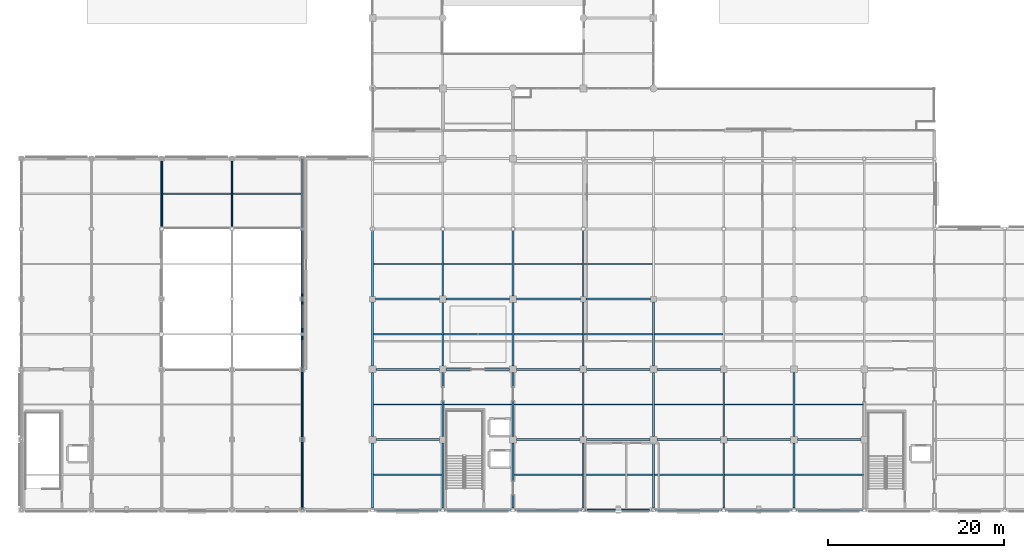
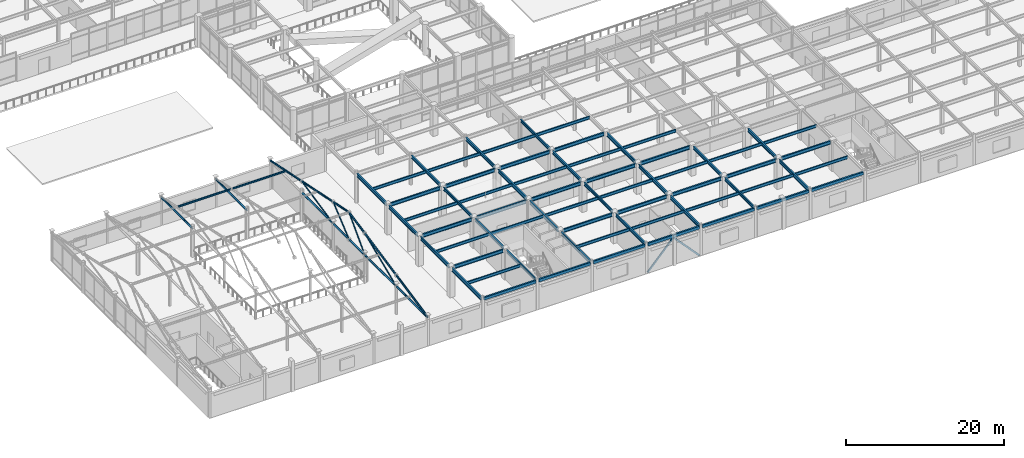
# One storey, part 31 of 117: 67 beams, 19 members.
"""IFC4 building model written with IfcOpenShell, lengths in metres."""

from ifc_helpers import new_model, si_unit, direction, frame, origin, origin_2d, place, context, subcontext, project, spatial, hollow_rectangle, hollow_circle, i_section, extrude, material, material_profile, profile_set, type_object, element, save


model = new_model("IFC4")

# Units and contexts
model_context = context("Model", 3, precision=1e-05, world=origin(), true_north=direction((0.0, 1.0)))
body_context = subcontext(model_context, "Body", "Model", "MODEL_VIEW")
ifc_project = project(units=[si_unit("LENGTHUNIT", "METRE"), si_unit("AREAUNIT", "SQUARE_METRE"), si_unit("VOLUMEUNIT", "CUBIC_METRE"), si_unit("PLANEANGLEUNIT", "RADIAN"), si_unit("MASSUNIT", "GRAM", prefix="KILO")], contexts=[model_context])

# Site, building, storey
site_placement = place(None, origin())
site = spatial("IfcSite", under=ifc_project, at=site_placement, CompositionType="ELEMENT")
building_placement = place(site_placement, origin())
building = spatial("IfcBuilding", under=site, at=building_placement, Name="Solmirada Galleria", CompositionType="ELEMENT")
storey_placement = place(building_placement, frame((0.0, 0.0, 5.60009765625)))
storey = spatial("IfcBuildingStorey", under=building, at=storey_placement, Name="L01", CompositionType="ELEMENT", Elevation=5.60009765625)

# Beams
ifc_material_1 = material(Name="Steel S355 / ASTM A992 Grade 50", Category="steel")
ifc_material_profile_1 = material_profile(ifc_material_1, i_section(OverallWidth=0.194091796875, OverallDepth=0.468994140625, WebThickness=0.0126953125, FlangeThickness=0.0205078125, FilletRadius=0.013916015625, at=origin_2d()), Name="W18X71")
ifc_profile_set_1 = profile_set([ifc_material_profile_1], Name="Steel S355 / ASTM A992 Grade 50")
beam_type_1 = type_object("IfcBeamType", Name="BM-GIRD-W18B", PredefinedType="BEAM", material=ifc_profile_set_1)
beam_1_placement = place(storey_placement, frame((88.0, 0.202880859375, 4.365478515625), z_axis=(0.0, 1.0, 0.0), x_axis=(-1.0, 0.0, 0.0)))
element("IfcBeam", 1, at=beam_1_placement, inside=storey, type_object=beam_type_1, Name="Primary girder L02 Y(88, 0..8)", PredefinedType="BEAM", context=body_context, shape_type="SweptSolid", body=[
    extrude(i_section(OverallWidth=0.194091796875, OverallDepth=0.468994140625, WebThickness=0.0126953125, FlangeThickness=0.0205078125, FilletRadius=0.013916015625, at=origin_2d()), origin(), (0.0, 0.0, 1.0), 7.422119140625),
])
for number, where, z_axis, x_axis, name in (
    (2, (88.0, 8.375, 4.365478515625), (0.0, 1.0, 0.0), (-1.0, 0.0, 0.0), "Primary girder L02 Y(88, 8..16)"),
    (3, (88.0, 16.375, 4.365478515625), (0.0, 1.0, 0.0), (-1.0, 0.0, 0.0), "Primary girder L02 Y(88, 16..24)"),
):
    element("IfcBeam", number, at=place(storey_placement, frame(where, z_axis=z_axis, x_axis=x_axis)), inside=storey, type_object=beam_type_1, Name=name, PredefinedType="BEAM", context=body_context, shape_type="SweptSolid", body=[
        extrude(i_section(OverallWidth=0.194091796875, OverallDepth=0.468994140625, WebThickness=0.0126953125, FlangeThickness=0.0205078125, FilletRadius=0.013916015625, at=origin_2d()), origin(), (0.0, 0.0, 1.0), 7.25),
    ])
beam_2_placement = place(storey_placement, frame((88.0, 24.375, 4.365478515625), z_axis=(0.0, 1.0, 0.0), x_axis=(-1.0, 0.0, 0.0)))
element("IfcBeam", 4, at=beam_2_placement, inside=storey, type_object=beam_type_1, Name="Primary girder L02 Y(88, 24..32)", PredefinedType="BEAM", context=body_context, shape_type="SweptSolid", body=[
    extrude(i_section(OverallWidth=0.194091796875, OverallDepth=0.468994140625, WebThickness=0.0126953125, FlangeThickness=0.0205078125, FilletRadius=0.013916015625, at=origin_2d()), origin(), (0.0, 0.0, 1.0), 7.43310546875),
])
beam_3_placement = place(storey_placement, frame((104.0, 0.202880859375, 4.365478515625), z_axis=(0.0, 1.0, 0.0), x_axis=(-1.0, 0.0, 0.0)))
element("IfcBeam", 5, at=beam_3_placement, inside=storey, type_object=beam_type_1, Name="Primary girder L02 Y(104, 0..8)", PredefinedType="BEAM", context=body_context, shape_type="SweptSolid", body=[
    extrude(i_section(OverallWidth=0.194091796875, OverallDepth=0.468994140625, WebThickness=0.0126953125, FlangeThickness=0.0205078125, FilletRadius=0.013916015625, at=origin_2d()), origin(), (0.0, 0.0, 1.0), 7.422119140625),
])
beam_4_placement = place(storey_placement, frame((104.0, 8.375, 4.365478515625), z_axis=(0.0, 1.0, 0.0), x_axis=(-1.0, 0.0, 0.0)))
element("IfcBeam", 6, at=beam_4_placement, inside=storey, type_object=beam_type_1, Name="Primary girder L02 Y(104, 8..16)", PredefinedType="BEAM", context=body_context, shape_type="SweptSolid", body=[
    extrude(i_section(OverallWidth=0.194091796875, OverallDepth=0.468994140625, WebThickness=0.0126953125, FlangeThickness=0.0205078125, FilletRadius=0.013916015625, at=origin_2d()), origin(), (0.0, 0.0, 1.0), 7.25),
])
beam_5_placement = place(storey_placement, frame((104.0, 16.375, 4.365478515625), z_axis=(0.0, 1.0, 0.0), x_axis=(-1.0, 0.0, 0.0)))
element("IfcBeam", 7, at=beam_5_placement, inside=storey, type_object=beam_type_1, Name="Primary girder L02 Y(104, 16..24)", PredefinedType="BEAM", context=body_context, shape_type="SweptSolid", body=[
    extrude(i_section(OverallWidth=0.194091796875, OverallDepth=0.468994140625, WebThickness=0.0126953125, FlangeThickness=0.0205078125, FilletRadius=0.013916015625, at=origin_2d()), origin(), (0.0, 0.0, 1.0), 7.300048828125),
])
beam_6_placement = place(storey_placement, frame((104.0, 24.324951171875, 4.365478515625), z_axis=(0.0, 1.0, 0.0), x_axis=(-1.0, 0.0, 0.0)))
element("IfcBeam", 8, at=beam_6_placement, inside=storey, type_object=beam_type_1, Name="Primary girder L02 Y(104, 24..32)", PredefinedType="BEAM", context=body_context, shape_type="SweptSolid", body=[
    extrude(i_section(OverallWidth=0.194091796875, OverallDepth=0.468994140625, WebThickness=0.0126953125, FlangeThickness=0.0205078125, FilletRadius=0.013916015625, at=origin_2d()), origin(), (0.0, 0.0, 1.0), 7.483154296875),
])
beam_7_placement = place(storey_placement, frame((120.0, 0.202880859375, 4.365478515625), z_axis=(0.0, 1.0, 0.0), x_axis=(-1.0, 0.0, 0.0)))
element("IfcBeam", 9, at=beam_7_placement, inside=storey, type_object=beam_type_1, Name="Primary girder L02 Y(120, 0..8)", PredefinedType="BEAM", context=body_context, shape_type="SweptSolid", body=[
    extrude(i_section(OverallWidth=0.194091796875, OverallDepth=0.468994140625, WebThickness=0.0126953125, FlangeThickness=0.0205078125, FilletRadius=0.013916015625, at=origin_2d()), origin(), (0.0, 0.0, 1.0), 7.422119140625),
])
beam_8_placement = place(storey_placement, frame((120.0, 8.375, 4.365478515625), z_axis=(0.0, 1.0, 0.0), x_axis=(-1.0, 0.0, 0.0)))
element("IfcBeam", 10, at=beam_8_placement, inside=storey, type_object=beam_type_1, Name="Primary girder L02 Y(120, 8..16)", PredefinedType="BEAM", context=body_context, shape_type="SweptSolid", body=[
    extrude(i_section(OverallWidth=0.194091796875, OverallDepth=0.468994140625, WebThickness=0.0126953125, FlangeThickness=0.0205078125, FilletRadius=0.013916015625, at=origin_2d()), origin(), (0.0, 0.0, 1.0), 7.25),
])
ifc_material_profile_2 = material_profile(ifc_material_1, i_section(OverallWidth=0.214111328125, OverallDepth=0.549072265625, WebThickness=0.0146484375, FlangeThickness=0.023681640625, FilletRadius=0.014892578125, at=origin_2d()), Name="W21X93")
ifc_profile_set_2 = profile_set([ifc_material_profile_2], Name="Steel S355 / ASTM A992 Grade 50")
beam_type_2 = type_object("IfcBeamType", Name="BM-GIRD-W21A", PredefinedType="BEAM", material=ifc_profile_set_2)
for number, where, z_axis, x_axis, name in (
    (11, (80.375, 16.0, 4.325439453125), (1.0, 0.0, 0.0), (0.0, 1.0, 0.0), "Primary beam L02 X(80..88, 16)"),
    (12, (88.375, 16.0, 4.325439453125), (1.0, 0.0, 0.0), (0.0, 1.0, 0.0), "Primary beam L02 X(88..96, 16)"),
    (13, (96.375, 16.0, 4.325439453125), (1.0, 0.0, 0.0), (0.0, 1.0, 0.0), "Primary beam L02 X(96..104, 16)"),
    (14, (104.375, 16.0, 4.325439453125), (1.0, 0.0, 0.0), (0.0, 1.0, 0.0), "Primary beam L02 X(104..112, 16)"),
    (15, (112.375, 16.0, 4.325439453125), (1.0, 0.0, 0.0), (0.0, 1.0, 0.0), "Primary beam L02 X(112..120, 16)"),
):
    element("IfcBeam", number, at=place(storey_placement, frame(where, z_axis=z_axis, x_axis=x_axis)), inside=storey, type_object=beam_type_2, Name=name, PredefinedType="BEAM", context=body_context, shape_type="SweptSolid", body=[
        extrude(i_section(OverallWidth=0.214111328125, OverallDepth=0.549072265625, WebThickness=0.0146484375, FlangeThickness=0.023681640625, FilletRadius=0.014892578125, at=origin_2d()), origin(), (0.0, 0.0, 1.0), 7.25),
    ])
ifc_material_profile_3 = material_profile(ifc_material_1, i_section(OverallWidth=0.2099609375, OverallDepth=0.537109375, WebThickness=0.010986328125, FlangeThickness=0.017333984375, FilletRadius=0.014892578125, at=origin_2d()), Name="W21X68")
ifc_profile_set_3 = profile_set([ifc_material_profile_3], Name="Steel S355 / ASTM A992 Grade 50")
beam_type_3 = type_object("IfcBeamType", Name="BM-GIRD-W21B", PredefinedType="BEAM", material=ifc_profile_set_3)
beam_9_placement = place(storey_placement, frame((80.375, 8.0, 4.331298828125), z_axis=(1.0, 0.0, 0.0), x_axis=(0.0, 1.0, 0.0)))
element("IfcBeam", 16, at=beam_9_placement, inside=storey, type_object=beam_type_3, Name="Primary beam L02 X(80..88, 8)", PredefinedType="BEAM", context=body_context, shape_type="SweptSolid", body=[
    extrude(i_section(OverallWidth=0.2099609375, OverallDepth=0.537109375, WebThickness=0.010986328125, FlangeThickness=0.017333984375, FilletRadius=0.014892578125, at=origin_2d()), origin(), (0.0, 0.0, 1.0), 7.25),
])
beam_10_placement = place(storey_placement, frame((80.324951171875, 24.0, 4.331298828125), z_axis=(1.0, 0.0, 0.0), x_axis=(0.0, 1.0, 0.0)))
element("IfcBeam", 17, at=beam_10_placement, inside=storey, type_object=beam_type_3, Name="Primary beam L02 X(80..88, 24)", PredefinedType="BEAM", context=body_context, shape_type="SweptSolid", body=[
    extrude(i_section(OverallWidth=0.2099609375, OverallDepth=0.537109375, WebThickness=0.010986328125, FlangeThickness=0.017333984375, FilletRadius=0.014892578125, at=origin_2d()), origin(), (0.0, 0.0, 1.0), 7.300048828125),
])
for number, where, z_axis, x_axis, name in (
    (18, (88.375, 24.0, 4.331298828125), (1.0, 0.0, 0.0), (0.0, 1.0, 0.0), "Primary beam L02 X(88..96, 24)"),
    (19, (96.375, 8.0, 4.331298828125), (1.0, 0.0, 0.0), (0.0, 1.0, 0.0), "Primary beam L02 X(96..104, 8)"),
):
    element("IfcBeam", number, at=place(storey_placement, frame(where, z_axis=z_axis, x_axis=x_axis)), inside=storey, type_object=beam_type_3, Name=name, PredefinedType="BEAM", context=body_context, shape_type="SweptSolid", body=[
        extrude(i_section(OverallWidth=0.2099609375, OverallDepth=0.537109375, WebThickness=0.010986328125, FlangeThickness=0.017333984375, FilletRadius=0.014892578125, at=origin_2d()), origin(), (0.0, 0.0, 1.0), 7.25),
    ])
beam_11_placement = place(storey_placement, frame((96.375, 24.0, 4.331298828125), z_axis=(1.0, 0.0, 0.0), x_axis=(0.0, 1.0, 0.0)))
element("IfcBeam", 20, at=beam_11_placement, inside=storey, type_object=beam_type_3, Name="Primary beam L02 X(96..104, 24)", PredefinedType="BEAM", context=body_context, shape_type="SweptSolid", body=[
    extrude(i_section(OverallWidth=0.2099609375, OverallDepth=0.537109375, WebThickness=0.010986328125, FlangeThickness=0.017333984375, FilletRadius=0.014892578125, at=origin_2d()), origin(), (0.0, 0.0, 1.0), 7.300048828125),
])
beam_12_placement = place(storey_placement, frame((104.375, 8.0, 4.331298828125), z_axis=(1.0, 0.0, 0.0), x_axis=(0.0, 1.0, 0.0)))
element("IfcBeam", 21, at=beam_12_placement, inside=storey, type_object=beam_type_3, Name="Primary beam L02 X(104..112, 8)", PredefinedType="BEAM", context=body_context, shape_type="SweptSolid", body=[
    extrude(i_section(OverallWidth=0.2099609375, OverallDepth=0.537109375, WebThickness=0.010986328125, FlangeThickness=0.017333984375, FilletRadius=0.014892578125, at=origin_2d()), origin(), (0.0, 0.0, 1.0), 7.25),
])
beam_13_placement = place(storey_placement, frame((104.324951171875, 24.0, 4.331298828125), z_axis=(1.0, 0.0, 0.0), x_axis=(0.0, 1.0, 0.0)))
element("IfcBeam", 22, at=beam_13_placement, inside=storey, type_object=beam_type_3, Name="Primary beam L02 X(104..112, 24)", PredefinedType="BEAM", context=body_context, shape_type="SweptSolid", body=[
    extrude(i_section(OverallWidth=0.2099609375, OverallDepth=0.537109375, WebThickness=0.010986328125, FlangeThickness=0.017333984375, FilletRadius=0.014892578125, at=origin_2d()), origin(), (0.0, 0.0, 1.0), 7.35009765625),
])
for number, where, z_axis, x_axis, name in (
    (23, (112.375, 8.0, 4.331298828125), (1.0, 0.0, 0.0), (0.0, 1.0, 0.0), "Primary beam L02 X(112..120, 8)"),
    (24, (120.375, 8.0, 4.331298828125), (1.0, 0.0, 0.0), (0.0, 1.0, 0.0), "Primary beam L02 X(120..128, 8)"),
    (25, (128.375, 8.0, 4.331298828125), (1.0, 0.0, 0.0), (0.0, 1.0, 0.0), "Primary beam L02 X(128..136, 8)"),
):
    element("IfcBeam", number, at=place(storey_placement, frame(where, z_axis=z_axis, x_axis=x_axis)), inside=storey, type_object=beam_type_3, Name=name, PredefinedType="BEAM", context=body_context, shape_type="SweptSolid", body=[
        extrude(i_section(OverallWidth=0.2099609375, OverallDepth=0.537109375, WebThickness=0.010986328125, FlangeThickness=0.017333984375, FilletRadius=0.014892578125, at=origin_2d()), origin(), (0.0, 0.0, 1.0), 7.25),
    ])
beam_14_placement = place(storey_placement, frame((80.0, 0.202880859375, 4.331298828125), z_axis=(0.0, 1.0, 0.0), x_axis=(-1.0, 0.0, 0.0)))
element("IfcBeam", 26, at=beam_14_placement, inside=storey, type_object=beam_type_3, Name="Primary girder L02 Y(80, 0..8)", PredefinedType="BEAM", context=body_context, shape_type="SweptSolid", body=[
    extrude(i_section(OverallWidth=0.2099609375, OverallDepth=0.537109375, WebThickness=0.010986328125, FlangeThickness=0.017333984375, FilletRadius=0.014892578125, at=origin_2d()), origin(), (0.0, 0.0, 1.0), 7.422119140625),
])
beam_15_placement = place(storey_placement, frame((80.0, 8.375, 4.331298828125), z_axis=(0.0, 1.0, 0.0), x_axis=(-1.0, 0.0, 0.0)))
element("IfcBeam", 27, at=beam_15_placement, inside=storey, type_object=beam_type_3, Name="Primary girder L02 Y(80, 8..16)", PredefinedType="BEAM", context=body_context, shape_type="SweptSolid", body=[
    extrude(i_section(OverallWidth=0.2099609375, OverallDepth=0.537109375, WebThickness=0.010986328125, FlangeThickness=0.017333984375, FilletRadius=0.014892578125, at=origin_2d()), origin(), (0.0, 0.0, 1.0), 7.25),
])
beam_16_placement = place(storey_placement, frame((80.0, 16.375, 4.331298828125), z_axis=(0.0, 1.0, 0.0), x_axis=(-1.0, 0.0, 0.0)))
element("IfcBeam", 28, at=beam_16_placement, inside=storey, type_object=beam_type_3, Name="Primary girder L02 Y(80, 16..24)", PredefinedType="BEAM", context=body_context, shape_type="SweptSolid", body=[
    extrude(i_section(OverallWidth=0.2099609375, OverallDepth=0.537109375, WebThickness=0.010986328125, FlangeThickness=0.017333984375, FilletRadius=0.014892578125, at=origin_2d()), origin(), (0.0, 0.0, 1.0), 7.300048828125),
])
beam_17_placement = place(storey_placement, frame((80.0, 24.324951171875, 4.331298828125), z_axis=(0.0, 1.0, 0.0), x_axis=(-1.0, 0.0, 0.0)))
element("IfcBeam", 29, at=beam_17_placement, inside=storey, type_object=beam_type_3, Name="Primary girder L02 Y(80, 24..32)", PredefinedType="BEAM", context=body_context, shape_type="SweptSolid", body=[
    extrude(i_section(OverallWidth=0.2099609375, OverallDepth=0.537109375, WebThickness=0.010986328125, FlangeThickness=0.017333984375, FilletRadius=0.014892578125, at=origin_2d()), origin(), (0.0, 0.0, 1.0), 7.461669921875),
])
beam_18_placement = place(storey_placement, frame((96.0, 0.202880859375, 4.331298828125), z_axis=(0.0, 1.0, 0.0), x_axis=(-1.0, 0.0, 0.0)))
element("IfcBeam", 30, at=beam_18_placement, inside=storey, type_object=beam_type_3, Name="Primary girder L02 Y(96, 0..8)", PredefinedType="BEAM", context=body_context, shape_type="SweptSolid", body=[
    extrude(i_section(OverallWidth=0.2099609375, OverallDepth=0.537109375, WebThickness=0.010986328125, FlangeThickness=0.017333984375, FilletRadius=0.014892578125, at=origin_2d()), origin(), (0.0, 0.0, 1.0), 7.422119140625),
])
for number, where, z_axis, x_axis, name in (
    (31, (96.0, 8.375, 4.331298828125), (0.0, 1.0, 0.0), (-1.0, 0.0, 0.0), "Primary girder L02 Y(96, 8..16)"),
    (32, (96.0, 16.375, 4.331298828125), (0.0, 1.0, 0.0), (-1.0, 0.0, 0.0), "Primary girder L02 Y(96, 16..24)"),
):
    element("IfcBeam", number, at=place(storey_placement, frame(where, z_axis=z_axis, x_axis=x_axis)), inside=storey, type_object=beam_type_3, Name=name, PredefinedType="BEAM", context=body_context, shape_type="SweptSolid", body=[
        extrude(i_section(OverallWidth=0.2099609375, OverallDepth=0.537109375, WebThickness=0.010986328125, FlangeThickness=0.017333984375, FilletRadius=0.014892578125, at=origin_2d()), origin(), (0.0, 0.0, 1.0), 7.25),
    ])
beam_19_placement = place(storey_placement, frame((96.0, 24.375, 4.331298828125), z_axis=(0.0, 1.0, 0.0), x_axis=(-1.0, 0.0, 0.0)))
element("IfcBeam", 33, at=beam_19_placement, inside=storey, type_object=beam_type_3, Name="Primary girder L02 Y(96, 24..32)", PredefinedType="BEAM", context=body_context, shape_type="SweptSolid", body=[
    extrude(i_section(OverallWidth=0.2099609375, OverallDepth=0.537109375, WebThickness=0.010986328125, FlangeThickness=0.017333984375, FilletRadius=0.014892578125, at=origin_2d()), origin(), (0.0, 0.0, 1.0), 7.43310546875),
])
beam_20_placement = place(storey_placement, frame((112.0, 0.202880859375, 4.331298828125), z_axis=(0.0, 1.0, 0.0), x_axis=(-1.0, 0.0, 0.0)))
element("IfcBeam", 34, at=beam_20_placement, inside=storey, type_object=beam_type_3, Name="Primary girder L02 Y(112, 0..8)", PredefinedType="BEAM", context=body_context, shape_type="SweptSolid", body=[
    extrude(i_section(OverallWidth=0.2099609375, OverallDepth=0.537109375, WebThickness=0.010986328125, FlangeThickness=0.017333984375, FilletRadius=0.014892578125, at=origin_2d()), origin(), (0.0, 0.0, 1.0), 7.422119140625),
])
beam_21_placement = place(storey_placement, frame((112.0, 8.375, 4.331298828125), z_axis=(0.0, 1.0, 0.0), x_axis=(-1.0, 0.0, 0.0)))
element("IfcBeam", 35, at=beam_21_placement, inside=storey, type_object=beam_type_3, Name="Primary girder L02 Y(112, 8..16)", PredefinedType="BEAM", context=body_context, shape_type="SweptSolid", body=[
    extrude(i_section(OverallWidth=0.2099609375, OverallDepth=0.537109375, WebThickness=0.010986328125, FlangeThickness=0.017333984375, FilletRadius=0.014892578125, at=origin_2d()), origin(), (0.0, 0.0, 1.0), 7.25),
])
beam_22_placement = place(storey_placement, frame((112.0, 16.375, 4.331298828125), z_axis=(0.0, 1.0, 0.0), x_axis=(-1.0, 0.0, 0.0)))
element("IfcBeam", 36, at=beam_22_placement, inside=storey, type_object=beam_type_3, Name="Primary girder L02 Y(112, 16..24)", PredefinedType="BEAM", context=body_context, shape_type="SweptSolid", body=[
    extrude(i_section(OverallWidth=0.2099609375, OverallDepth=0.537109375, WebThickness=0.010986328125, FlangeThickness=0.017333984375, FilletRadius=0.014892578125, at=origin_2d()), origin(), (0.0, 0.0, 1.0), 7.300048828125),
])
beam_23_placement = place(storey_placement, frame((128.0, 0.202880859375, 4.331298828125), z_axis=(0.0, 1.0, 0.0), x_axis=(-1.0, 0.0, 0.0)))
element("IfcBeam", 37, at=beam_23_placement, inside=storey, type_object=beam_type_3, Name="Primary girder L02 Y(128, 0..8)", PredefinedType="BEAM", context=body_context, shape_type="SweptSolid", body=[
    extrude(i_section(OverallWidth=0.2099609375, OverallDepth=0.537109375, WebThickness=0.010986328125, FlangeThickness=0.017333984375, FilletRadius=0.014892578125, at=origin_2d()), origin(), (0.0, 0.0, 1.0), 7.422119140625),
])
beam_24_placement = place(storey_placement, frame((128.0, 8.375, 4.331298828125), z_axis=(0.0, 1.0, 0.0), x_axis=(-1.0, 0.0, 0.0)))
element("IfcBeam", 38, at=beam_24_placement, inside=storey, type_object=beam_type_3, Name="Primary girder L02 Y(128, 8..16)", PredefinedType="BEAM", context=body_context, shape_type="SweptSolid", body=[
    extrude(i_section(OverallWidth=0.2099609375, OverallDepth=0.537109375, WebThickness=0.010986328125, FlangeThickness=0.017333984375, FilletRadius=0.014892578125, at=origin_2d()), origin(), (0.0, 0.0, 1.0), 7.25),
])
ifc_material_profile_4 = material_profile(ifc_material_1, i_section(OverallWidth=0.152099609375, OverallDepth=0.449951171875, WebThickness=0.007568359375, FlangeThickness=0.0107421875, FilletRadius=0.011962890625, at=origin_2d()), Name="W18X35")
ifc_profile_set_4 = profile_set([ifc_material_profile_4], Name="Steel S355 / ASTM A992 Grade 50")
beam_type_4 = type_object("IfcBeamType", Name="BM-JST-W18B", PredefinedType="JOIST", material=ifc_profile_set_4)
for number, where, z_axis, x_axis, name in (
    (39, (80.10498046875, 4.0, 4.375), (1.0, 0.0, 0.0), (0.0, 1.0, 0.0), "Composite floor joist L02 (80..88, 4.0)"),
    (40, (80.10498046875, 12.0, 4.375), (1.0, 0.0, 0.0), (0.0, 1.0, 0.0), "Composite floor joist L02 (80..88, 12.0)"),
    (41, (80.10498046875, 20.0, 4.375), (1.0, 0.0, 0.0), (0.0, 1.0, 0.0), "Composite floor joist L02 (80..88, 20.0)"),
    (42, (80.10498046875, 28.0, 4.375), (1.0, 0.0, 0.0), (0.0, 1.0, 0.0), "Composite floor joist L02 (80..88, 28.0)"),
    (43, (88.096923828125, 12.0, 4.375), (1.0, 0.0, 0.0), (0.0, 1.0, 0.0), "Composite floor joist L02 (88..96, 12.0)"),
    (44, (88.096923828125, 20.0, 4.375), (1.0, 0.0, 0.0), (0.0, 1.0, 0.0), "Composite floor joist L02 (88..96, 20.0)"),
    (45, (88.096923828125, 28.0, 4.375), (1.0, 0.0, 0.0), (0.0, 1.0, 0.0), "Composite floor joist L02 (88..96, 28.0)"),
    (46, (96.10498046875, 4.0, 4.375), (1.0, 0.0, 0.0), (0.0, 1.0, 0.0), "Composite floor joist L02 (96..104, 4.0)"),
    (47, (96.10498046875, 12.0, 4.375), (1.0, 0.0, 0.0), (0.0, 1.0, 0.0), "Composite floor joist L02 (96..104, 12.0)"),
    (48, (96.10498046875, 20.0, 4.375), (1.0, 0.0, 0.0), (0.0, 1.0, 0.0), "Composite floor joist L02 (96..104, 20.0)"),
    (49, (96.10498046875, 28.0, 4.375), (1.0, 0.0, 0.0), (0.0, 1.0, 0.0), "Composite floor joist L02 (96..104, 28.0)"),
    (50, (104.096923828125, 4.0, 4.375), (1.0, 0.0, 0.0), (0.0, 1.0, 0.0), "Composite floor joist L02 (104..112, 4.0)"),
    (51, (104.096923828125, 12.0, 4.375), (1.0, 0.0, 0.0), (0.0, 1.0, 0.0), "Composite floor joist L02 (104..112, 12.0)"),
    (52, (104.096923828125, 20.0, 4.375), (1.0, 0.0, 0.0), (0.0, 1.0, 0.0), "Composite floor joist L02 (104..112, 20.0)"),
    (53, (104.096923828125, 28.0, 4.375), (1.0, 0.0, 0.0), (0.0, 1.0, 0.0), "Composite floor joist L02 (104..112, 28.0)"),
    (54, (112.10498046875, 4.0, 4.375), (1.0, 0.0, 0.0), (0.0, 1.0, 0.0), "Composite floor joist L02 (112..120, 4.0)"),
    (55, (112.10498046875, 12.0, 4.375), (1.0, 0.0, 0.0), (0.0, 1.0, 0.0), "Composite floor joist L02 (112..120, 12.0)"),
    (56, (112.10498046875, 20.0, 4.375), (1.0, 0.0, 0.0), (0.0, 1.0, 0.0), "Composite floor joist L02 (112..120, 20.0)"),
    (57, (120.096923828125, 4.0, 4.375), (1.0, 0.0, 0.0), (0.0, 1.0, 0.0), "Composite floor joist L02 (120..128, 4.0)"),
    (58, (120.096923828125, 12.0, 4.375), (1.0, 0.0, 0.0), (0.0, 1.0, 0.0), "Composite floor joist L02 (120..128, 12.0)"),
    (59, (128.10498046875, 4.0, 4.375), (1.0, 0.0, 0.0), (0.0, 1.0, 0.0), "Composite floor joist L02 (128..136, 4.0)"),
    (60, (128.10498046875, 12.0, 4.375), (1.0, 0.0, 0.0), (0.0, 1.0, 0.0), "Composite floor joist L02 (128..136, 12.0)"),
):
    element("IfcBeam", number, at=place(storey_placement, frame(where, z_axis=z_axis, x_axis=x_axis)), inside=storey, type_object=beam_type_4, Name=name, PredefinedType="JOIST", context=body_context, shape_type="SweptSolid", body=[
        extrude(i_section(OverallWidth=0.152099609375, OverallDepth=0.449951171875, WebThickness=0.007568359375, FlangeThickness=0.0107421875, FilletRadius=0.011962890625, at=origin_2d()), origin(), (0.0, 0.0, 1.0), 7.798095703125),
    ])
ifc_material_2 = material(Name="Steel S355 / ASTM A500 Grade C", Category="steel")
ifc_material_profile_5 = material_profile(ifc_material_2, hollow_rectangle(XDim=0.25390625, YDim=0.45703125, WallThickness=0.01171875, InnerFilletRadius=0.01171875, OuterFilletRadius=0.023681640625, at=origin_2d()), Name="HSS18X10X1/2")
ifc_profile_set_5 = profile_set([ifc_material_profile_5], Name="Steel S355 / ASTM A500 Grade C")
beam_type_5 = type_object("IfcBeamType", Name="BM-SPAND-W18", PredefinedType="SPANDREL", material=ifc_profile_set_5)
for number, where, z_axis, x_axis, name in (
    (61, (80.202880859375, 0.0, 4.371337890625), (1.0, 0.0, 0.0), (0.0, 1.0, 0.0), "Primary beam L02 X(80..88, 0)"),
    (62, (88.202880859375, 0.0, 4.371337890625), (1.0, 0.0, 0.0), (0.0, 1.0, 0.0), "Primary beam L02 X(88..96, 0)"),
    (63, (96.202880859375, 0.0, 4.371337890625), (1.0, 0.0, 0.0), (0.0, 1.0, 0.0), "Primary beam L02 X(96..104, 0)"),
    (64, (104.202880859375, 0.0, 4.371337890625), (1.0, 0.0, 0.0), (0.0, 1.0, 0.0), "Primary beam L02 X(104..112, 0)"),
    (65, (112.202880859375, 0.0, 4.371337890625), (1.0, 0.0, 0.0), (0.0, 1.0, 0.0), "Primary beam L02 X(112..120, 0)"),
    (66, (120.202880859375, 0.0, 4.371337890625), (1.0, 0.0, 0.0), (0.0, 1.0, 0.0), "Primary beam L02 X(120..128, 0)"),
    (67, (128.202880859375, 0.0, 4.371337890625), (1.0, 0.0, 0.0), (0.0, 1.0, 0.0), "Primary beam L02 X(128..136, 0)"),
):
    element("IfcBeam", number, at=place(storey_placement, frame(where, z_axis=z_axis, x_axis=x_axis)), inside=storey, type_object=beam_type_5, Name=name, PredefinedType="SPANDREL", context=body_context, shape_type="SweptSolid", body=[
        extrude(hollow_rectangle(XDim=0.25390625, YDim=0.45703125, WallThickness=0.01171875, InnerFilletRadius=0.01171875, OuterFilletRadius=0.023681640625, at=origin_2d()), origin(), (0.0, 0.0, 1.0), 7.59423828125),
    ])

# Members
ifc_material_profile_6 = material_profile(ifc_material_2, hollow_rectangle(XDim=0.152099609375, YDim=0.25390625, WallThickness=0.0087890625, InnerFilletRadius=0.0087890625, OuterFilletRadius=0.017822265625, at=origin_2d()), Name="HSS10X6X3/8")
ifc_profile_set_6 = profile_set([ifc_material_profile_6], Name="Steel S355 / ASTM A500 Grade C")
member_type_1 = type_object("IfcMemberType", Name="MEM-CBF-EXT", PredefinedType="BRACE", material=ifc_profile_set_6)
for number, where, z_axis, x_axis, name in (
    (68, (104.202880859375, 0.0, 0.02001953125), (0.679500373905, 0.0, 0.733675160997), (0.0, 1.0, 0.0), "Braced frame diagonal CBF-S1 L01 A"),
    (69, (111.797119140625, 0.0, 0.02001953125), (-0.679500373905, 0.0, 0.733675160997), (0.0, -1.0, 0.0), "Braced frame diagonal CBF-S1 L01 B"),
):
    element("IfcMember", number, at=place(storey_placement, frame(where, z_axis=z_axis, x_axis=x_axis)), inside=storey, type_object=member_type_1, Name=name, PredefinedType="BRACE", context=body_context, shape_type="SweptSolid", body=[
        extrude(hollow_rectangle(XDim=0.152099609375, YDim=0.25390625, WallThickness=0.0087890625, InnerFilletRadius=0.0087890625, OuterFilletRadius=0.017822265625, at=origin_2d()), origin(), (0.0, 0.0, 1.0), 5.588134765625),
    ])
ifc_material_profile_7 = material_profile(ifc_material_2, hollow_circle(Radius=0.136474609375, WallThickness=0.0087890625, at=origin_2d()), Name="HSS10.750X0.375")
ifc_profile_set_7 = profile_set([ifc_material_profile_7], Name="Steel S355 / ASTM A500 Grade C")
member_type_2 = type_object("IfcMemberType", Name="MEM-FH-CHORD", PredefinedType="CHORD", material=ifc_profile_set_7)
for number, where, z_axis, x_axis, name in (
    (70, (56.0, 32.21337890625, 4.2998046875), (0.0, 1.0, 0.0), (-1.0, 0.0, 0.0), "Food Hall truss bottom chord X=56"),
    (71, (64.0, 32.21337890625, 4.2998046875), (0.0, 1.0, 0.0), (-1.0, 0.0, 0.0), "Food Hall truss bottom chord X=64"),
):
    element("IfcMember", number, at=place(storey_placement, frame(where, z_axis=z_axis, x_axis=x_axis)), inside=storey, type_object=member_type_2, Name=name, PredefinedType="CHORD", context=body_context, shape_type="SweptSolid", body=[
        extrude(hollow_circle(Radius=0.136474609375, WallThickness=0.0087890625, at=origin_2d()), origin(), (0.0, 0.0, 1.0), 7.65966796875),
    ])
member_1_placement = place(storey_placement, frame((72.0, 0.152587890625, 4.2998046875), z_axis=(0.0, 1.0, 0.0), x_axis=(-1.0, 0.0, 0.0)))
element("IfcMember", 72, at=member_1_placement, inside=storey, type_object=member_type_2, Name="Food Hall truss bottom chord X=72", PredefinedType="CHORD", context=body_context, shape_type="SweptSolid", body=[
    extrude(hollow_circle(Radius=0.136474609375, WallThickness=0.0087890625, at=origin_2d()), origin(), (0.0, 0.0, 1.0), 7.720458984375),
])
for number, where, z_axis, x_axis, name in (
    (73, (72.0, 8.126953125, 4.2998046875), (0.0, 1.0, 0.0), (-1.0, 0.0, 0.0), "Food Hall truss bottom chord X=72"),
    (74, (72.0, 16.126953125, 4.2998046875), (0.0, 1.0, 0.0), (-1.0, 0.0, 0.0), "Food Hall truss bottom chord X=72"),
):
    element("IfcMember", number, at=place(storey_placement, frame(where, z_axis=z_axis, x_axis=x_axis)), inside=storey, type_object=member_type_2, Name=name, PredefinedType="CHORD", context=body_context, shape_type="SweptSolid", body=[
        extrude(hollow_circle(Radius=0.136474609375, WallThickness=0.0087890625, at=origin_2d()), origin(), (0.0, 0.0, 1.0), 7.74609375),
    ])
member_2_placement = place(storey_placement, frame((72.0, 24.126953125, 4.2998046875), z_axis=(0.0, 1.0, 0.0), x_axis=(-1.0, 0.0, 0.0)))
element("IfcMember", 75, at=member_2_placement, inside=storey, type_object=member_type_2, Name="Food Hall truss bottom chord X=72", PredefinedType="CHORD", context=body_context, shape_type="SweptSolid", body=[
    extrude(hollow_circle(Radius=0.136474609375, WallThickness=0.0087890625, at=origin_2d()), origin(), (0.0, 0.0, 1.0), 7.65966796875),
])
for number, where, z_axis, x_axis, name in (
    (76, (72.0, 0.0, 4.3798828125), (0.0, 0.979626474639, 0.200828210633), (-1.0, 0.0, 0.0), "Food Hall truss south top chord X=72"),
    (77, (72.0, 20.0, 8.47998046875), (0.0, 0.979626474639, -0.200828210633), (-1.0, 0.0, 0.0), "Food Hall truss north top chord X=72"),
):
    element("IfcMember", number, at=place(storey_placement, frame(where, z_axis=z_axis, x_axis=x_axis)), inside=storey, type_object=member_type_2, Name=name, PredefinedType="CHORD", context=body_context, shape_type="SweptSolid", body=[
        extrude(hollow_circle(Radius=0.136474609375, WallThickness=0.0087890625, at=origin_2d()), origin(), (0.0, 0.0, 1.0), 20.416015625),
    ])
ifc_material_profile_8 = material_profile(ifc_material_2, hollow_circle(Radius=0.083984375, WallThickness=0.006591796875, at=origin_2d()), Name="HSS6.625X0.280")
ifc_profile_set_8 = profile_set([ifc_material_profile_8], Name="Steel S355 / ASTM A500 Grade C")
member_type_3 = type_object("IfcMemberType", Name="MEM-FH-WEB", PredefinedType="BRACE", material=ifc_profile_set_8)
for number, where, z_axis, x_axis, name in (
    (78, (56.0, 32.0, 4.2998046875), (0.0, 0.99994990606, 0.010009264196), (-1.0, 0.0, 0.0), "Food Hall truss web diagonal X=56"),
    (79, (64.0, 32.0, 4.2998046875), (0.0, 0.99994990606, 0.010009264196), (-1.0, 0.0, 0.0), "Food Hall truss web diagonal X=64"),
):
    element("IfcMember", number, at=place(storey_placement, frame(where, z_axis=z_axis, x_axis=x_axis)), inside=storey, type_object=member_type_3, Name=name, PredefinedType="BRACE", context=body_context, shape_type="SweptSolid", body=[
        extrude(hollow_circle(Radius=0.083984375, WallThickness=0.006591796875, at=origin_2d()), origin(), (0.0, 0.0, 1.0), 8.00048828125),
    ])
member_3_placement = place(storey_placement, frame((72.0, 0.0, 4.2998046875), z_axis=(0.0, 0.977653718245, 0.210221804772), x_axis=(-1.0, 0.0, 0.0)))
element("IfcMember", 80, at=member_3_placement, inside=storey, type_object=member_type_3, Name="Food Hall truss web diagonal X=72", PredefinedType="BRACE", context=body_context, shape_type="SweptSolid", body=[
    extrude(hollow_circle(Radius=0.083984375, WallThickness=0.006591796875, at=origin_2d()), origin(), (0.0, 0.0, 1.0), 8.182861328125),
])
member_4_placement = place(storey_placement, frame((72.0, 8.0, 4.2998046875), z_axis=(0.0, 0.921977685597, 0.387243008022), x_axis=(-1.0, 0.0, 0.0)))
element("IfcMember", 81, at=member_4_placement, inside=storey, type_object=member_type_3, Name="Food Hall truss web diagonal X=72", PredefinedType="BRACE", context=body_context, shape_type="SweptSolid", body=[
    extrude(hollow_circle(Radius=0.083984375, WallThickness=0.006591796875, at=origin_2d()), origin(), (0.0, 0.0, 1.0), 8.677001953125),
])
member_5_placement = place(storey_placement, frame((72.0, 16.0, 4.2998046875), z_axis=(0.0, 0.691364429711, 0.722506211274), x_axis=(-1.0, 0.0, 0.0)))
element("IfcMember", 82, at=member_5_placement, inside=storey, type_object=member_type_3, Name="Food Hall truss web diagonal X=72", PredefinedType="BRACE", context=body_context, shape_type="SweptSolid", body=[
    extrude(hollow_circle(Radius=0.083984375, WallThickness=0.006591796875, at=origin_2d()), origin(), (0.0, 0.0, 1.0), 5.78564453125),
])
member_6_placement = place(storey_placement, frame((72.0, 20.0, 4.2998046875), z_axis=(0.0, 0.765694737469, 0.643204142565), x_axis=(-1.0, 0.0, 0.0)))
element("IfcMember", 83, at=member_6_placement, inside=storey, type_object=member_type_3, Name="Food Hall truss web diagonal X=72", PredefinedType="BRACE", context=body_context, shape_type="SweptSolid", body=[
    extrude(hollow_circle(Radius=0.083984375, WallThickness=0.006591796875, at=origin_2d()), origin(), (0.0, 0.0, 1.0), 5.22412109375),
])
member_7_placement = place(storey_placement, frame((72.0, 24.0, 4.2998046875), z_axis=(0.0, 0.977653718245, 0.210221804772), x_axis=(-1.0, 0.0, 0.0)))
element("IfcMember", 84, at=member_7_placement, inside=storey, type_object=member_type_3, Name="Food Hall truss web diagonal X=72", PredefinedType="BRACE", context=body_context, shape_type="SweptSolid", body=[
    extrude(hollow_circle(Radius=0.083984375, WallThickness=0.006591796875, at=origin_2d()), origin(), (0.0, 0.0, 1.0), 8.182861328125),
])
ifc_material_profile_9 = material_profile(ifc_material_1, i_section(OverallWidth=0.14599609375, OverallDepth=0.258056640625, WebThickness=0.006103515625, FlangeThickness=0.009033203125, FilletRadius=0.009033203125, at=origin_2d()), Name="W10X22")
ifc_profile_set_9 = profile_set([ifc_material_profile_9], Name="Steel S355 / ASTM A992 Grade 50")
member_type_4 = type_object("IfcMemberType", Name="MEM-ROOF-PURL", PredefinedType="PURLIN", material=ifc_profile_set_9)
for number, where, z_axis, x_axis, name in (
    (85, (56.139892578125, 36.0, 5.199951171875), (1.0, 0.0, 0.0), (0.0, 1.0, 0.0), "Food Hall roof purlin Y=36"),
    (86, (64.139892578125, 36.0, 5.199951171875), (1.0, 0.0, 0.0), (0.0, 1.0, 0.0), "Food Hall roof purlin Y=36"),
):
    element("IfcMember", number, at=place(storey_placement, frame(where, z_axis=z_axis, x_axis=x_axis)), inside=storey, type_object=member_type_4, Name=name, PredefinedType="PURLIN", context=body_context, shape_type="SweptSolid", body=[
        extrude(i_section(OverallWidth=0.14599609375, OverallDepth=0.258056640625, WebThickness=0.006103515625, FlangeThickness=0.009033203125, FilletRadius=0.009033203125, at=origin_2d()), origin(), (0.0, 0.0, 1.0), 7.72021484375),
    ])

save(model, "model.ifc")
